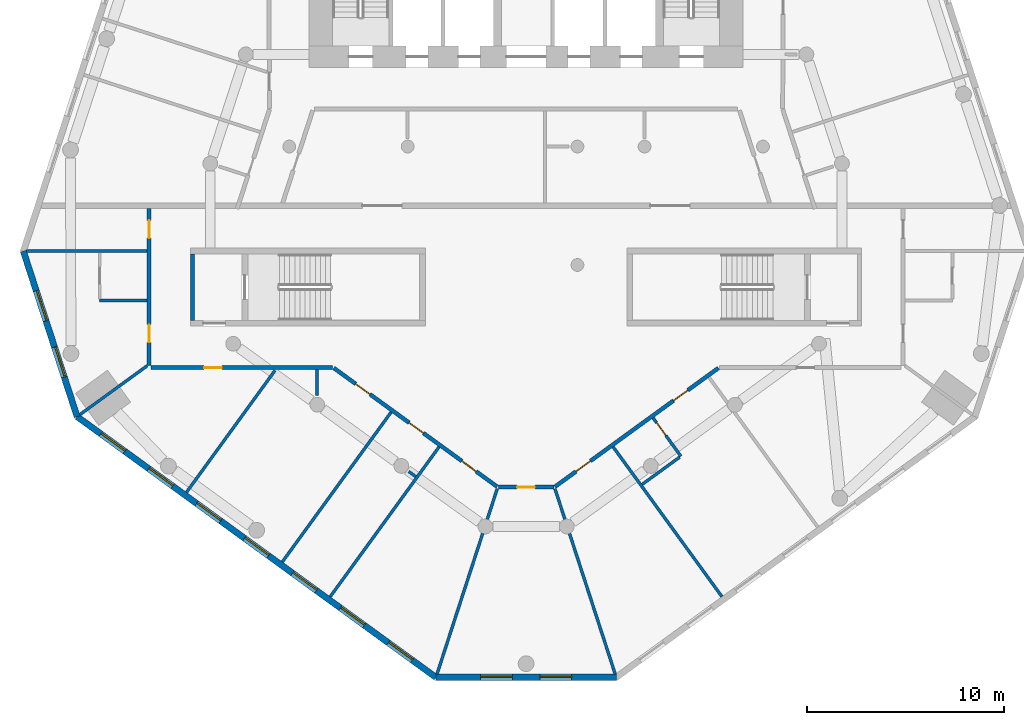
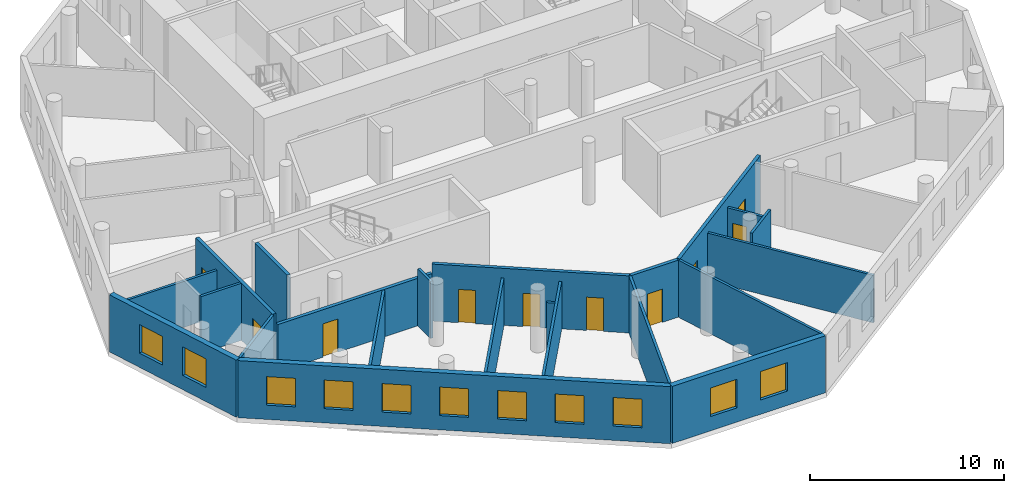
# One storey, part 2 of 9: 22 walls, 11 windows, 10 doors, 21 openings.
"""IFC4 building model written with IfcOpenShell, lengths in metres."""

from ifc_helpers import new_model, si_unit, direction, frame, frame_2d, origin, place, context, subcontext, project, spatial, rectangle, extrude, material, layer, layer_set, type_object, element, fill, save


model = new_model("IFC4")

# Units and contexts
model_context = context("Model", 3, precision=1e-05, world=origin(), true_north=direction((0.0, 1.0)))
body_context = subcontext(model_context, "Body", "Model", "MODEL_VIEW")
ifc_project = project(units=[si_unit("LENGTHUNIT", "METRE"), si_unit("AREAUNIT", "SQUARE_METRE"), si_unit("VOLUMEUNIT", "CUBIC_METRE"), si_unit("PLANEANGLEUNIT", "RADIAN"), si_unit("MASSUNIT", "GRAM", prefix="KILO")], contexts=[model_context])

# Site, building, storey
site_placement = place(None, origin())
site = spatial("IfcSite", under=ifc_project, at=site_placement, CompositionType="ELEMENT")
building_placement = place(site_placement, origin())
building = spatial("IfcBuilding", under=site, at=building_placement, Name="White Candle Pilgrim Tower", CompositionType="ELEMENT")
storey_placement = place(building_placement, frame((0.0, 0.0, 133.699951171875)))
storey = spatial("IfcBuildingStorey", under=building, at=storey_placement, Name="L30", CompositionType="ELEMENT", Elevation=133.699951171875)

# Wall
ifc_material_1 = material(Name="Concrete C60/75", Category="concrete")
ifc_layer_1 = layer(ifc_material_1, 0.199951171875)
ifc_layer_set_1 = layer_set([ifc_layer_1], Name="Core wall 200 mm Concrete C60/75")
wall_type_1 = type_object("IfcWallType", Name="Core wall 200 mm Concrete C60/75", PredefinedType="SHEAR", material=ifc_layer_set_1)
wall_1_placement = place(storey_placement, frame((53.10009765625, 58.199951171875, 0.0), z_axis=(0.0, 0.0, 1.0), x_axis=(0.0, 1.0, 0.0)))
element("IfcWall", 1, at=wall_1_placement, inside=storey, type_object=wall_type_1, Name="WL-L30-C03", PredefinedType="SHEAR", context=body_context, shape_type="SweptSolid", body=[
    extrude(rectangle(XDim=3.35009765625, YDim=0.199951171875, at=frame_2d((1.675048828125, 0.0))), origin(), (0.0, 0.0, 1.0), 3.900146484375),
])

# Wall, openings, doors
ifc_material_2 = material(Name="Gypsum board on steel studs", Category="steel")
ifc_layer_2 = layer(ifc_material_2, 0.199951171875)
ifc_layer_set_2 = layer_set([ifc_layer_2], Name="Corridor wall 200 mm EI 45")
wall_type_2 = type_object("IfcWallType", Name="Corridor wall 200 mm EI 45", PredefinedType="PARTITIONING", material=ifc_layer_set_2)
wall_2_placement = place(storey_placement, frame((79.7412109375, 55.781005859375, 0.0), z_axis=(0.0, 0.0, 1.0), x_axis=(-0.809014540142, -0.587788630239, 0.0)))
wall_2 = element("IfcWall", 2, at=wall_2_placement, inside=storey, type_object=wall_type_2, Name="WL-L30-P008", PredefinedType="PARTITIONING", context=body_context, shape_type="SweptSolid", body=[
    extrude(rectangle(XDim=10.2333984375, YDim=0.199951171875, at=frame_2d((5.11669921875, 0.0))), origin(), (0.0, 0.0, 1.0), 3.60009765625),
])
opening_1_placement = place(wall_2_placement, frame((8.014404296875, 0.0, 0.0)))
opening_1 = element("IfcOpeningElement", 3, at=opening_1_placement, cuts=wall_2, Name="Opening T09-108", PredefinedType="OPENING", context=body_context, shape_type="SweptSolid", body=[
    extrude(rectangle(XDim=0.89990234375, YDim=2.10009765625, at=frame_2d((0.449951171875, 1.050048828125))), frame((0.0, 0.10986328125, 0.0), z_axis=(0.0, -1.0, 0.0), x_axis=(1.0, 0.0, 0.0)), (0.0, 0.0, 1.0), 0.219970703125),
])
opening_2_placement = place(wall_2_placement, frame((1.91259765625, 0.0, 0.0)))
opening_2 = element("IfcOpeningElement", 4, at=opening_2_placement, cuts=wall_2, Name="Opening T09-110", PredefinedType="OPENING", context=body_context, shape_type="SweptSolid", body=[
    extrude(rectangle(XDim=0.89990234375, YDim=2.10009765625, at=frame_2d((0.449951171875, 1.050048828125))), frame((0.0, 0.10986328125, 0.0), z_axis=(0.0, -1.0, 0.0), x_axis=(1.0, 0.0, 0.0)), (0.0, 0.0, 1.0), 0.219970703125),
])
ifc_material_3 = material(Name="Steel door leaf", Category="steel")
door_type_1 = type_object("IfcDoorType", Name="Fire door 900 x 2100 EI 30", OperationType="NOTDEFINED", PredefinedType="DOOR", material=ifc_material_3)
door_1_placement = place(opening_1_placement, origin())
door_1 = element("IfcDoor", 5, at=door_1_placement, inside=storey, type_object=door_type_1, Name="Door T09-108", OperationType="SINGLE_SWING_RIGHT", OverallHeight=2.10009765625, OverallWidth=0.89990234375, PredefinedType="DOOR", context=body_context, shape_type="SweptSolid", body=[
    extrude(rectangle(XDim=0.89990234375, YDim=2.10009765625, at=frame_2d((0.449951171875, 1.050048828125))), frame((0.0, 0.02490234375, 0.0), z_axis=(0.0, -1.0, 0.0), x_axis=(1.0, 0.0, 0.0)), (0.0, 0.0, 1.0), 0.050048828125),
])
fill(opening_1, door_1)
door_2_placement = place(opening_2_placement, origin())
door_2 = element("IfcDoor", 6, at=door_2_placement, inside=storey, type_object=door_type_1, Name="Door T09-110", OperationType="SINGLE_SWING_RIGHT", OverallHeight=2.10009765625, OverallWidth=0.89990234375, PredefinedType="DOOR", context=body_context, shape_type="SweptSolid", body=[
    extrude(rectangle(XDim=0.89990234375, YDim=2.10009765625, at=frame_2d((0.449951171875, 1.050048828125))), frame((0.0, 0.02490234375, 0.0), z_axis=(0.0, -1.0, 0.0), x_axis=(1.0, 0.0, 0.0)), (0.0, 0.0, 1.0), 0.050048828125),
])
fill(opening_2, door_2)

# Wall, opening, door
wall_3_placement = place(storey_placement, frame((71.4033203125, 49.74658203125, 0.0), z_axis=(0.0, 0.0, 1.0), x_axis=(-1.0, 0.0, 0.0)))
wall_3 = element("IfcWall", 7, at=wall_3_placement, inside=storey, type_object=wall_type_2, Name="WL-L30-P009", PredefinedType="PARTITIONING", context=body_context, shape_type="SweptSolid", body=[
    extrude(rectangle(XDim=2.806640625, YDim=0.199951171875, at=frame_2d((1.4033203125, 0.0))), origin(), (0.0, 0.0, 1.0), 3.60009765625),
])
opening_3_placement = place(wall_3_placement, frame((0.953369140625, 0.0, 0.0)))
opening_3 = element("IfcOpeningElement", 8, at=opening_3_placement, cuts=wall_3, Name="Opening T09-107", PredefinedType="OPENING", context=body_context, shape_type="SweptSolid", body=[
    extrude(rectangle(XDim=0.89990234375, YDim=2.10009765625, at=frame_2d((0.449951171875, 1.050048828125))), frame((0.0, 0.10986328125, 0.0), z_axis=(0.0, -1.0, 0.0), x_axis=(1.0, 0.0, 0.0)), (0.0, 0.0, 1.0), 0.219970703125),
])
door_3_placement = place(opening_3_placement, origin())
door_3 = element("IfcDoor", 9, at=door_3_placement, inside=storey, type_object=door_type_1, Name="Door T09-107", OperationType="SINGLE_SWING_LEFT", OverallHeight=2.10009765625, OverallWidth=0.89990234375, PredefinedType="DOOR", context=body_context, shape_type="SweptSolid", body=[
    extrude(rectangle(XDim=0.89990234375, YDim=2.10009765625, at=frame_2d((0.449951171875, 1.050048828125))), frame((0.0, 0.02490234375, 0.0), z_axis=(0.0, -1.0, 0.0), x_axis=(1.0, 0.0, 0.0)), (0.0, 0.0, 1.0), 0.050048828125),
])
fill(opening_3, door_3)

# Wall, openings, doors
wall_4_placement = place(storey_placement, frame((68.537841796875, 49.765869140625, 0.0), z_axis=(0.0, 0.0, 1.0), x_axis=(-0.809014540142, 0.587788630239, 0.0)))
wall_4 = element("IfcWall", 10, at=wall_4_placement, inside=storey, type_object=wall_type_2, Name="WL-L30-P010", PredefinedType="PARTITIONING", context=body_context, shape_type="SweptSolid", body=[
    extrude(rectangle(XDim=10.2333984375, YDim=0.199951171875, at=frame_2d((5.11669921875, 0.0))), origin(), (0.0, 0.0, 1.0), 3.60009765625),
])
opening_4_placement = place(wall_4_placement, frame((7.968505859375, 0.0, 0.0)))
opening_4 = element("IfcOpeningElement", 11, at=opening_4_placement, cuts=wall_4, Name="Opening T09-104", PredefinedType="OPENING", context=body_context, shape_type="SweptSolid", body=[
    extrude(rectangle(XDim=0.89990234375, YDim=2.10009765625, at=frame_2d((0.449951171875, 1.050048828125))), frame((0.0, 0.10986328125, 0.0), z_axis=(0.0, -1.0, 0.0), x_axis=(1.0, 0.0, 0.0)), (0.0, 0.0, 1.0), 0.219970703125),
])
opening_5_placement = place(wall_4_placement, frame((4.620849609375, 0.0, 0.0)))
opening_5 = element("IfcOpeningElement", 12, at=opening_5_placement, cuts=wall_4, Name="Opening T09-105", PredefinedType="OPENING", context=body_context, shape_type="SweptSolid", body=[
    extrude(rectangle(XDim=0.89990234375, YDim=2.10009765625, at=frame_2d((0.449951171875, 1.050048828125))), frame((0.0, 0.10986328125, 0.0), z_axis=(0.0, -1.0, 0.0), x_axis=(1.0, 0.0, 0.0)), (0.0, 0.0, 1.0), 0.219970703125),
])
opening_6_placement = place(wall_4_placement, frame((1.319091796875, 0.0, 0.0)))
opening_6 = element("IfcOpeningElement", 13, at=opening_6_placement, cuts=wall_4, Name="Opening T09-106", PredefinedType="OPENING", context=body_context, shape_type="SweptSolid", body=[
    extrude(rectangle(XDim=0.89990234375, YDim=2.10009765625, at=frame_2d((0.449951171875, 1.050048828125))), frame((0.0, 0.10986328125, 0.0), z_axis=(0.0, -1.0, 0.0), x_axis=(1.0, 0.0, 0.0)), (0.0, 0.0, 1.0), 0.219970703125),
])
door_4_placement = place(opening_4_placement, origin())
door_4 = element("IfcDoor", 14, at=door_4_placement, inside=storey, type_object=door_type_1, Name="Door T09-104", OperationType="SINGLE_SWING_RIGHT", OverallHeight=2.10009765625, OverallWidth=0.89990234375, PredefinedType="DOOR", context=body_context, shape_type="SweptSolid", body=[
    extrude(rectangle(XDim=0.89990234375, YDim=2.10009765625, at=frame_2d((0.449951171875, 1.050048828125))), frame((0.0, 0.02490234375, 0.0), z_axis=(0.0, -1.0, 0.0), x_axis=(1.0, 0.0, 0.0)), (0.0, 0.0, 1.0), 0.050048828125),
])
fill(opening_4, door_4)
door_5_placement = place(opening_5_placement, origin())
door_5 = element("IfcDoor", 15, at=door_5_placement, inside=storey, type_object=door_type_1, Name="Door T09-105", OperationType="SINGLE_SWING_LEFT", OverallHeight=2.10009765625, OverallWidth=0.89990234375, PredefinedType="DOOR", context=body_context, shape_type="SweptSolid", body=[
    extrude(rectangle(XDim=0.89990234375, YDim=2.10009765625, at=frame_2d((0.449951171875, 1.050048828125))), frame((0.0, 0.02490234375, 0.0), z_axis=(0.0, -1.0, 0.0), x_axis=(1.0, 0.0, 0.0)), (0.0, 0.0, 1.0), 0.050048828125),
])
fill(opening_5, door_5)
door_6_placement = place(opening_6_placement, origin())
door_6 = element("IfcDoor", 16, at=door_6_placement, inside=storey, type_object=door_type_1, Name="Door T09-106", OperationType="SINGLE_SWING_RIGHT", OverallHeight=2.10009765625, OverallWidth=0.89990234375, PredefinedType="DOOR", context=body_context, shape_type="SweptSolid", body=[
    extrude(rectangle(XDim=0.89990234375, YDim=2.10009765625, at=frame_2d((0.449951171875, 1.050048828125))), frame((0.0, 0.02490234375, 0.0), z_axis=(0.0, -1.0, 0.0), x_axis=(1.0, 0.0, 0.0)), (0.0, 0.0, 1.0), 0.050048828125),
])
fill(opening_6, door_6)

# Wall, opening, door
wall_5_placement = place(storey_placement, frame((60.2001953125, 55.800048828125, 0.0), z_axis=(0.0, 0.0, 1.0), x_axis=(-1.0, 0.0, 0.0)))
wall_5 = element("IfcWall", 17, at=wall_5_placement, inside=storey, type_object=wall_type_2, Name="WL-L30-P011", PredefinedType="PARTITIONING", context=body_context, shape_type="SweptSolid", body=[
    extrude(rectangle(XDim=9.2001953125, YDim=0.199951171875, at=frame_2d((4.60009765625, 0.0))), origin(), (0.0, 0.0, 1.0), 3.0),
])
opening_7_placement = place(wall_5_placement, frame((5.6083984375, 0.0, 0.0)))
opening_7 = element("IfcOpeningElement", 18, at=opening_7_placement, cuts=wall_5, Name="Opening T09-103", PredefinedType="OPENING", context=body_context, shape_type="SweptSolid", body=[
    extrude(rectangle(XDim=0.89990234375, YDim=2.10009765625, at=frame_2d((0.449951171875, 1.050048828125))), frame((0.0, 0.10986328125, 0.0), z_axis=(0.0, -1.0, 0.0), x_axis=(1.0, 0.0, 0.0)), (0.0, 0.0, 1.0), 0.219970703125),
])
door_7_placement = place(opening_7_placement, origin())
door_7 = element("IfcDoor", 19, at=door_7_placement, inside=storey, type_object=door_type_1, Name="Door T09-103", OperationType="SINGLE_SWING_LEFT", OverallHeight=2.10009765625, OverallWidth=0.89990234375, PredefinedType="DOOR", context=body_context, shape_type="SweptSolid", body=[
    extrude(rectangle(XDim=0.89990234375, YDim=2.10009765625, at=frame_2d((0.449951171875, 1.050048828125))), frame((0.0, 0.02490234375, 0.0), z_axis=(0.0, -1.0, 0.0), x_axis=(1.0, 0.0, 0.0)), (0.0, 0.0, 1.0), 0.050048828125),
])
fill(opening_7, door_7)

# Wall, openings, doors
wall_6_placement = place(storey_placement, frame((50.89990234375, 55.89990234375, 0.0), z_axis=(0.0, 0.0, 1.0), x_axis=(0.0, 1.0, 0.0)))
wall_6 = element("IfcWall", 20, at=wall_6_placement, inside=storey, type_object=wall_type_2, Name="WL-L30-P012", PredefinedType="PARTITIONING", context=body_context, shape_type="SweptSolid", body=[
    extrude(rectangle(XDim=7.9501953125, YDim=0.199951171875, at=frame_2d((3.97509765625, 0.0))), origin(), (0.0, 0.0, 1.0), 3.60009765625),
])
opening_8_placement = place(wall_6_placement, frame((1.18212890625, 0.0, 0.0)))
opening_8 = element("IfcOpeningElement", 21, at=opening_8_placement, cuts=wall_6, Name="Opening T09-102", PredefinedType="OPENING", context=body_context, shape_type="SweptSolid", body=[
    extrude(rectangle(XDim=0.89990234375, YDim=2.10009765625, at=frame_2d((0.449951171875, 1.050048828125))), frame((0.0, 0.10986328125, 0.0), z_axis=(0.0, -1.0, 0.0), x_axis=(1.0, 0.0, 0.0)), (0.0, 0.0, 1.0), 0.219970703125),
])
opening_9_placement = place(wall_6_placement, frame((6.462158203125, 0.0, 0.0)))
opening_9 = element("IfcOpeningElement", 22, at=opening_9_placement, cuts=wall_6, Name="Opening T09-116", PredefinedType="OPENING", context=body_context, shape_type="SweptSolid", body=[
    extrude(rectangle(XDim=0.89990234375, YDim=2.10009765625, at=frame_2d((0.449951171875, 1.050048828125))), frame((0.0, 0.10986328125, 0.0), z_axis=(0.0, -1.0, 0.0), x_axis=(1.0, 0.0, 0.0)), (0.0, 0.0, 1.0), 0.219970703125),
])
door_8_placement = place(opening_8_placement, origin())
door_8 = element("IfcDoor", 23, at=door_8_placement, inside=storey, type_object=door_type_1, Name="Door T09-102", OperationType="SINGLE_SWING_RIGHT", OverallHeight=2.10009765625, OverallWidth=0.89990234375, PredefinedType="DOOR", context=body_context, shape_type="SweptSolid", body=[
    extrude(rectangle(XDim=0.89990234375, YDim=2.10009765625, at=frame_2d((0.449951171875, 1.050048828125))), frame((0.0, 0.02490234375, 0.0), z_axis=(0.0, -1.0, 0.0), x_axis=(1.0, 0.0, 0.0)), (0.0, 0.0, 1.0), 0.050048828125),
])
fill(opening_8, door_8)
door_9_placement = place(opening_9_placement, origin())
door_9 = element("IfcDoor", 24, at=door_9_placement, inside=storey, type_object=door_type_1, Name="Door T09-116", OperationType="SINGLE_SWING_RIGHT", OverallHeight=2.10009765625, OverallWidth=0.89990234375, PredefinedType="DOOR", context=body_context, shape_type="SweptSolid", body=[
    extrude(rectangle(XDim=0.89990234375, YDim=2.10009765625, at=frame_2d((0.449951171875, 1.050048828125))), frame((0.0, 0.02490234375, 0.0), z_axis=(0.0, -1.0, 0.0), x_axis=(1.0, 0.0, 0.0)), (0.0, 0.0, 1.0), 0.050048828125),
])
fill(opening_9, door_9)

# Wall, openings, windows
ifc_material_4 = material(Name="Precast concrete C40/50", Category="concrete")
ifc_layer_3 = layer(ifc_material_4, 0.320068359375)
ifc_layer_set_3 = layer_set([ifc_layer_3], Name="Facade wall EW1 precast concrete C40/50 pier wall with timber-lined reveals")
wall_type_3 = type_object("IfcWallType", Name="Facade wall EW1 precast concrete C40/50 pier wall with timber-lined reveals", PredefinedType="SOLIDWALL", material=ifc_layer_set_3)
wall_7_placement = place(storey_placement, frame((44.5283203125, 61.69921875, 0.0), z_axis=(0.0, 0.0, 1.0), x_axis=(0.309007169839, -0.951059708424, 0.0)))
wall_7 = element("IfcWall", 25, at=wall_7_placement, inside=storey, type_object=wall_type_3, Name="Facade wall L30 W chamfer", PredefinedType="SOLIDWALL", context=body_context, shape_type="SweptSolid", body=[
    extrude(rectangle(XDim=8.815673828125, YDim=0.320068359375, at=frame_2d((4.40771484375, 0.0))), origin(), (0.0, 0.0, 1.0), 3.60009765625),
])
opening_10_placement = place(wall_7_placement, frame((2.10791015625, 0.0, 0.89990234375)))
opening_10 = element("IfcOpeningElement", 26, at=opening_10_placement, cuts=wall_7, Name="Opening W2", PredefinedType="OPENING", context=body_context, shape_type="SweptSolid", body=[
    extrude(rectangle(XDim=1.60009765625, YDim=1.800048828125, at=frame_2d((0.800048828125, 0.89990234375))), frame((0.0, 0.169921875, 0.0), z_axis=(0.0, -1.0, 0.0), x_axis=(1.0, 0.0, 0.0)), (0.0, 0.0, 1.0), 0.340087890625),
])
opening_11_placement = place(wall_7_placement, frame((5.10791015625, 0.0, 0.89990234375)))
opening_11 = element("IfcOpeningElement", 27, at=opening_11_placement, cuts=wall_7, Name="Opening W2", PredefinedType="OPENING", context=body_context, shape_type="SweptSolid", body=[
    extrude(rectangle(XDim=1.60009765625, YDim=1.800048828125, at=frame_2d((0.800048828125, 0.89990234375))), frame((0.0, 0.169921875, 0.0), z_axis=(0.0, -1.0, 0.0), x_axis=(1.0, 0.0, 0.0)), (0.0, 0.0, 1.0), 0.340087890625),
])
ifc_material_5 = material(Name="Timber frame with triple glazing", Category="wood")
window_type_1 = type_object("IfcWindowType", Name="Window W2 1600x1800 timber frame triple glazing", PartitioningType="SINGLE_PANEL", PredefinedType="WINDOW", material=ifc_material_5)
window_1_placement = place(opening_10_placement, origin())
window_1 = element("IfcWindow", 28, at=window_1_placement, inside=storey, type_object=window_type_1, Name="Window W2 L30 W chamfer 1", OverallHeight=1.800048828125, OverallWidth=1.60009765625, PartitioningType="SINGLE_PANEL", PredefinedType="WINDOW", context=body_context, shape_type="SweptSolid", body=[
    extrude(rectangle(XDim=1.60009765625, YDim=1.800048828125, at=frame_2d((0.800048828125, 0.89990234375))), frame((0.0, 0.070068359375, 0.0), z_axis=(0.0, -1.0, 0.0), x_axis=(1.0, 0.0, 0.0)), (0.0, 0.0, 1.0), 0.06005859375),
])
fill(opening_10, window_1)
window_2_placement = place(opening_11_placement, origin())
window_2 = element("IfcWindow", 29, at=window_2_placement, inside=storey, type_object=window_type_1, Name="Window W2 L30 W chamfer 2", OverallHeight=1.800048828125, OverallWidth=1.60009765625, PartitioningType="SINGLE_PANEL", PredefinedType="WINDOW", context=body_context, shape_type="SweptSolid", body=[
    extrude(rectangle(XDim=1.60009765625, YDim=1.800048828125, at=frame_2d((0.800048828125, 0.89990234375))), frame((0.0, 0.070068359375, 0.0), z_axis=(0.0, -1.0, 0.0), x_axis=(1.0, 0.0, 0.0)), (0.0, 0.0, 1.0), 0.06005859375),
])
fill(opening_11, window_2)

wall_8_placement = place(storey_placement, frame((47.25244140625, 53.31494140625, 0.0), z_axis=(0.0, 0.0, 1.0), x_axis=(0.809018352132, -0.587783383496, 0.0)))
wall_8 = element("IfcWall", 30, at=wall_8_placement, inside=storey, type_object=wall_type_3, Name="Facade wall L30 SW", PredefinedType="SOLIDWALL", context=body_context, shape_type="SweptSolid", body=[
    extrude(rectangle(XDim=22.47119140625, YDim=0.320068359375, at=frame_2d((11.235595703125, 0.0))), origin(), (0.0, 0.0, 1.0), 3.60009765625),
])
opening_12_placement = place(wall_8_placement, frame((1.485595703125, 0.0, 0.89990234375)))
opening_12 = element("IfcOpeningElement", 31, at=opening_12_placement, cuts=wall_8, Name="Opening W1", PredefinedType="OPENING", context=body_context, shape_type="SweptSolid", body=[
    extrude(rectangle(XDim=1.5, YDim=1.800048828125, at=frame_2d((0.75, 0.89990234375))), frame((0.0, 0.169921875, 0.0), z_axis=(0.0, -1.0, 0.0), x_axis=(1.0, 0.0, 0.0)), (0.0, 0.0, 1.0), 0.340087890625),
])
opening_13_placement = place(wall_8_placement, frame((4.485595703125, 0.0, 0.89990234375)))
opening_13 = element("IfcOpeningElement", 32, at=opening_13_placement, cuts=wall_8, Name="Opening W1", PredefinedType="OPENING", context=body_context, shape_type="SweptSolid", body=[
    extrude(rectangle(XDim=1.5, YDim=1.800048828125, at=frame_2d((0.75, 0.89990234375))), frame((0.0, 0.169921875, 0.0), z_axis=(0.0, -1.0, 0.0), x_axis=(1.0, 0.0, 0.0)), (0.0, 0.0, 1.0), 0.340087890625),
])
opening_14_placement = place(wall_8_placement, frame((7.485595703125, 0.0, 0.89990234375)))
opening_14 = element("IfcOpeningElement", 33, at=opening_14_placement, cuts=wall_8, Name="Opening W1", PredefinedType="OPENING", context=body_context, shape_type="SweptSolid", body=[
    extrude(rectangle(XDim=1.5, YDim=1.800048828125, at=frame_2d((0.75, 0.89990234375))), frame((0.0, 0.169921875, 0.0), z_axis=(0.0, -1.0, 0.0), x_axis=(1.0, 0.0, 0.0)), (0.0, 0.0, 1.0), 0.340087890625),
])
opening_15_placement = place(wall_8_placement, frame((10.485595703125, 0.0, 0.89990234375)))
opening_15 = element("IfcOpeningElement", 34, at=opening_15_placement, cuts=wall_8, Name="Opening W1", PredefinedType="OPENING", context=body_context, shape_type="SweptSolid", body=[
    extrude(rectangle(XDim=1.5, YDim=1.800048828125, at=frame_2d((0.75, 0.89990234375))), frame((0.0, 0.169921875, 0.0), z_axis=(0.0, -1.0, 0.0), x_axis=(1.0, 0.0, 0.0)), (0.0, 0.0, 1.0), 0.340087890625),
])
opening_16_placement = place(wall_8_placement, frame((13.485595703125, 0.0, 0.89990234375)))
opening_16 = element("IfcOpeningElement", 35, at=opening_16_placement, cuts=wall_8, Name="Opening W1", PredefinedType="OPENING", context=body_context, shape_type="SweptSolid", body=[
    extrude(rectangle(XDim=1.5, YDim=1.800048828125, at=frame_2d((0.75, 0.89990234375))), frame((0.0, 0.169921875, 0.0), z_axis=(0.0, -1.0, 0.0), x_axis=(1.0, 0.0, 0.0)), (0.0, 0.0, 1.0), 0.340087890625),
])
opening_17_placement = place(wall_8_placement, frame((16.485595703125, 0.0, 0.89990234375)))
opening_17 = element("IfcOpeningElement", 36, at=opening_17_placement, cuts=wall_8, Name="Opening W1", PredefinedType="OPENING", context=body_context, shape_type="SweptSolid", body=[
    extrude(rectangle(XDim=1.5, YDim=1.800048828125, at=frame_2d((0.75, 0.89990234375))), frame((0.0, 0.169921875, 0.0), z_axis=(0.0, -1.0, 0.0), x_axis=(1.0, 0.0, 0.0)), (0.0, 0.0, 1.0), 0.340087890625),
])
opening_18_placement = place(wall_8_placement, frame((19.485595703125, 0.0, 0.89990234375)))
opening_18 = element("IfcOpeningElement", 37, at=opening_18_placement, cuts=wall_8, Name="Opening W1", PredefinedType="OPENING", context=body_context, shape_type="SweptSolid", body=[
    extrude(rectangle(XDim=1.5, YDim=1.800048828125, at=frame_2d((0.75, 0.89990234375))), frame((0.0, 0.169921875, 0.0), z_axis=(0.0, -1.0, 0.0), x_axis=(1.0, 0.0, 0.0)), (0.0, 0.0, 1.0), 0.340087890625),
])
window_type_2 = type_object("IfcWindowType", Name="Window W1 1500x1800 timber frame triple glazing", PartitioningType="SINGLE_PANEL", PredefinedType="WINDOW", material=ifc_material_5)
window_3_placement = place(opening_12_placement, origin())
window_3 = element("IfcWindow", 38, at=window_3_placement, inside=storey, type_object=window_type_2, Name="Window W1 L30 SW 1", OverallHeight=1.800048828125, OverallWidth=1.5, PartitioningType="SINGLE_PANEL", PredefinedType="WINDOW", context=body_context, shape_type="SweptSolid", body=[
    extrude(rectangle(XDim=1.5, YDim=1.800048828125, at=frame_2d((0.75, 0.89990234375))), frame((0.0, 0.070068359375, 0.0), z_axis=(0.0, -1.0, 0.0), x_axis=(1.0, 0.0, 0.0)), (0.0, 0.0, 1.0), 0.06005859375),
])
fill(opening_12, window_3)
window_4_placement = place(opening_13_placement, origin())
window_4 = element("IfcWindow", 39, at=window_4_placement, inside=storey, type_object=window_type_2, Name="Window W1 L30 SW 2", OverallHeight=1.800048828125, OverallWidth=1.5, PartitioningType="SINGLE_PANEL", PredefinedType="WINDOW", context=body_context, shape_type="SweptSolid", body=[
    extrude(rectangle(XDim=1.5, YDim=1.800048828125, at=frame_2d((0.75, 0.89990234375))), frame((0.0, 0.070068359375, 0.0), z_axis=(0.0, -1.0, 0.0), x_axis=(1.0, 0.0, 0.0)), (0.0, 0.0, 1.0), 0.06005859375),
])
fill(opening_13, window_4)
window_5_placement = place(opening_14_placement, origin())
window_5 = element("IfcWindow", 40, at=window_5_placement, inside=storey, type_object=window_type_2, Name="Window W1 L30 SW 3", OverallHeight=1.800048828125, OverallWidth=1.5, PartitioningType="SINGLE_PANEL", PredefinedType="WINDOW", context=body_context, shape_type="SweptSolid", body=[
    extrude(rectangle(XDim=1.5, YDim=1.800048828125, at=frame_2d((0.75, 0.89990234375))), frame((0.0, 0.070068359375, 0.0), z_axis=(0.0, -1.0, 0.0), x_axis=(1.0, 0.0, 0.0)), (0.0, 0.0, 1.0), 0.06005859375),
])
fill(opening_14, window_5)
window_6_placement = place(opening_15_placement, origin())
window_6 = element("IfcWindow", 41, at=window_6_placement, inside=storey, type_object=window_type_2, Name="Window W1 L30 SW 4", OverallHeight=1.800048828125, OverallWidth=1.5, PartitioningType="SINGLE_PANEL", PredefinedType="WINDOW", context=body_context, shape_type="SweptSolid", body=[
    extrude(rectangle(XDim=1.5, YDim=1.800048828125, at=frame_2d((0.75, 0.89990234375))), frame((0.0, 0.070068359375, 0.0), z_axis=(0.0, -1.0, 0.0), x_axis=(1.0, 0.0, 0.0)), (0.0, 0.0, 1.0), 0.06005859375),
])
fill(opening_15, window_6)
window_7_placement = place(opening_16_placement, origin())
window_7 = element("IfcWindow", 42, at=window_7_placement, inside=storey, type_object=window_type_2, Name="Window W1 L30 SW 5", OverallHeight=1.800048828125, OverallWidth=1.5, PartitioningType="SINGLE_PANEL", PredefinedType="WINDOW", context=body_context, shape_type="SweptSolid", body=[
    extrude(rectangle(XDim=1.5, YDim=1.800048828125, at=frame_2d((0.75, 0.89990234375))), frame((0.0, 0.070068359375, 0.0), z_axis=(0.0, -1.0, 0.0), x_axis=(1.0, 0.0, 0.0)), (0.0, 0.0, 1.0), 0.06005859375),
])
fill(opening_16, window_7)
window_8_placement = place(opening_17_placement, origin())
window_8 = element("IfcWindow", 43, at=window_8_placement, inside=storey, type_object=window_type_2, Name="Window W1 L30 SW 6", OverallHeight=1.800048828125, OverallWidth=1.5, PartitioningType="SINGLE_PANEL", PredefinedType="WINDOW", context=body_context, shape_type="SweptSolid", body=[
    extrude(rectangle(XDim=1.5, YDim=1.800048828125, at=frame_2d((0.75, 0.89990234375))), frame((0.0, 0.070068359375, 0.0), z_axis=(0.0, -1.0, 0.0), x_axis=(1.0, 0.0, 0.0)), (0.0, 0.0, 1.0), 0.06005859375),
])
fill(opening_17, window_8)
window_9_placement = place(opening_18_placement, origin())
window_9 = element("IfcWindow", 44, at=window_9_placement, inside=storey, type_object=window_type_2, Name="Window W1 L30 SW 7", OverallHeight=1.800048828125, OverallWidth=1.5, PartitioningType="SINGLE_PANEL", PredefinedType="WINDOW", context=body_context, shape_type="SweptSolid", body=[
    extrude(rectangle(XDim=1.5, YDim=1.800048828125, at=frame_2d((0.75, 0.89990234375))), frame((0.0, 0.070068359375, 0.0), z_axis=(0.0, -1.0, 0.0), x_axis=(1.0, 0.0, 0.0)), (0.0, 0.0, 1.0), 0.06005859375),
])
fill(opening_18, window_9)

wall_9_placement = place(storey_placement, frame((65.43212890625, 40.106689453125, 0.0), z_axis=(0.0, 0.0, 1.0), x_axis=(1.0, 0.0, 0.0)))
wall_9 = element("IfcWall", 45, at=wall_9_placement, inside=storey, type_object=wall_type_3, Name="Facade wall L30 S chamfer", PredefinedType="SOLIDWALL", context=body_context, shape_type="SweptSolid", body=[
    extrude(rectangle(XDim=9.1357421875, YDim=0.320068359375, at=frame_2d((4.56787109375, 0.0))), origin(), (0.0, 0.0, 1.0), 3.60009765625),
])
opening_19_placement = place(wall_9_placement, frame((2.26806640625, 0.0, 0.89990234375)))
opening_19 = element("IfcOpeningElement", 46, at=opening_19_placement, cuts=wall_9, Name="Opening W2", PredefinedType="OPENING", context=body_context, shape_type="SweptSolid", body=[
    extrude(rectangle(XDim=1.60009765625, YDim=1.800048828125, at=frame_2d((0.800048828125, 0.89990234375))), frame((0.0, 0.169921875, 0.0), z_axis=(0.0, -1.0, 0.0), x_axis=(1.0, 0.0, 0.0)), (0.0, 0.0, 1.0), 0.340087890625),
])
opening_20_placement = place(wall_9_placement, frame((5.26806640625, 0.0, 0.89990234375)))
opening_20 = element("IfcOpeningElement", 47, at=opening_20_placement, cuts=wall_9, Name="Opening W2", PredefinedType="OPENING", context=body_context, shape_type="SweptSolid", body=[
    extrude(rectangle(XDim=1.60009765625, YDim=1.800048828125, at=frame_2d((0.800048828125, 0.89990234375))), frame((0.0, 0.169921875, 0.0), z_axis=(0.0, -1.0, 0.0), x_axis=(1.0, 0.0, 0.0)), (0.0, 0.0, 1.0), 0.340087890625),
])
window_10_placement = place(opening_19_placement, origin())
window_10 = element("IfcWindow", 48, at=window_10_placement, inside=storey, type_object=window_type_1, Name="Window W2 L30 S chamfer 1", OverallHeight=1.800048828125, OverallWidth=1.60009765625, PartitioningType="SINGLE_PANEL", PredefinedType="WINDOW", context=body_context, shape_type="SweptSolid", body=[
    extrude(rectangle(XDim=1.60009765625, YDim=1.800048828125, at=frame_2d((0.800048828125, 0.89990234375))), frame((0.0, 0.070068359375, 0.0), z_axis=(0.0, -1.0, 0.0), x_axis=(1.0, 0.0, 0.0)), (0.0, 0.0, 1.0), 0.06005859375),
])
fill(opening_19, window_10)
window_11_placement = place(opening_20_placement, origin())
window_11 = element("IfcWindow", 49, at=window_11_placement, inside=storey, type_object=window_type_1, Name="Window W2 L30 S chamfer 2", OverallHeight=1.800048828125, OverallWidth=1.60009765625, PartitioningType="SINGLE_PANEL", PredefinedType="WINDOW", context=body_context, shape_type="SweptSolid", body=[
    extrude(rectangle(XDim=1.60009765625, YDim=1.800048828125, at=frame_2d((0.800048828125, 0.89990234375))), frame((0.0, 0.070068359375, 0.0), z_axis=(0.0, -1.0, 0.0), x_axis=(1.0, 0.0, 0.0)), (0.0, 0.0, 1.0), 0.06005859375),
])
fill(opening_20, window_11)

# Walls
ifc_layer_4 = layer(ifc_material_2, 0.14990234375)
ifc_layer_set_4 = layer_set([ifc_layer_4], Name="Partition 150 mm EI 60")
wall_type_4 = type_object("IfcWallType", Name="Partition 150 mm EI 60", PredefinedType="PARTITIONING", material=ifc_layer_set_4)
wall_10_placement = place(storey_placement, frame((44.6962890625, 61.69921875, 0.0), z_axis=(0.0, 0.0, 1.0), x_axis=(1.0, 0.0, 0.0)))
element("IfcWall", 50, at=wall_10_placement, inside=storey, type_object=wall_type_4, Name="WL-L30-P017", PredefinedType="PARTITIONING", context=body_context, shape_type="SweptSolid", body=[
    extrude(rectangle(XDim=6.103759765625, YDim=0.14990234375, at=frame_2d((3.0517578125, 0.0))), origin(), (0.0, 0.0, 1.0), 2.900146484375),
])
wall_11_placement = place(storey_placement, frame((47.388427734375, 53.413818359375, 0.0), z_axis=(0.0, 0.0, 1.0), x_axis=(0.809033589119, 0.587762410909, 0.0)))
element("IfcWall", 51, at=wall_11_placement, inside=storey, type_object=wall_type_4, Name="WL-L30-P018", PredefinedType="PARTITIONING", context=body_context, shape_type="SweptSolid", body=[
    extrude(rectangle(XDim=4.221435546875, YDim=0.14990234375, at=frame_2d((2.11083984375, 0.0))), origin(), (0.0, 0.0, 1.0), 3.60009765625),
])
for number, where, z_axis, x_axis, name in (
    (52, (65.48388671875, 40.2666015625, 0.0), (0.0, 0.0, 1.0), (0.309015131176, 0.951057121683, 0.0), "WL-L30-P019"),
    (53, (74.51611328125, 40.2666015625, 0.0), (0.0, 0.0, 1.0), (-0.309015131176, 0.951057121683, 0.0), "WL-L30-P020"),
):
    element("IfcWall", number, at=place(storey_placement, frame(where, z_axis=z_axis, x_axis=x_axis)), inside=storey, type_object=wall_type_4, Name=name, PredefinedType="PARTITIONING", context=body_context, shape_type="SweptSolid", body=[
        extrude(rectangle(XDim=9.8828125, YDim=0.14990234375, at=frame_2d((4.94140625, 0.0))), origin(), (0.0, 0.0, 1.0), 3.60009765625),
    ])
wall_12_placement = place(storey_placement, frame((50.800048828125, 59.19921875, 0.0), z_axis=(0.0, 0.0, 1.0), x_axis=(-1.0, 0.0, 0.0)))
element("IfcWall", 54, at=wall_12_placement, inside=storey, type_object=wall_type_4, Name="WL-L30-P026", PredefinedType="PARTITIONING", context=body_context, shape_type="SweptSolid", body=[
    extrude(rectangle(XDim=2.400146484375, YDim=0.14990234375, at=frame_2d((1.2001953125, 0.0))), origin(), (0.0, 0.0, 1.0), 3.60009765625),
])
wall_13_placement = place(storey_placement, frame((52.795654296875, 49.4853515625, 0.0), z_axis=(0.0, 0.0, 1.0), x_axis=(0.587777660072, 0.809022510392, 0.0)))
element("IfcWall", 55, at=wall_13_placement, inside=storey, type_object=wall_type_4, Name="WL-L30-P028", PredefinedType="PARTITIONING", context=body_context, shape_type="SweptSolid", body=[
    extrude(rectangle(XDim=7.627197265625, YDim=0.14990234375, at=frame_2d((3.8134765625, 0.0))), origin(), (0.0, 0.0, 1.0), 3.0),
])
for number, where, z_axis, x_axis, name in (
    (56, (57.64990234375, 45.95849609375, 0.0), (0.0, 0.0, 1.0), (0.58776614844, 0.809030873792, 0.0), "WL-L30-P029"),
    (57, (60.076904296875, 44.1953125, 0.0), (0.0, 0.0, 1.0), (0.587795561305, 0.809009504339, 0.0), "WL-L30-P030"),
    (58, (79.923095703125, 44.1953125, 0.0), (0.0, 0.0, 1.0), (-0.587795561305, 0.809009504339, 0.0), "WL-L30-P031"),
):
    element("IfcWall", number, at=place(storey_placement, frame(where, z_axis=z_axis, x_axis=x_axis)), inside=storey, type_object=wall_type_4, Name=name, PredefinedType="PARTITIONING", context=body_context, shape_type="SweptSolid", body=[
        extrude(rectangle(XDim=9.3798828125, YDim=0.14990234375, at=frame_2d((4.68994140625, 0.0))), origin(), (0.0, 0.0, 1.0), 3.0),
    ])

# Wall, opening, door
wall_14_placement = place(storey_placement, frame((76.432373046875, 53.25341796875, 0.0), z_axis=(0.0, 0.0, 1.0), x_axis=(0.587724050354, -0.809061456649, 0.0)))
wall_14 = element("IfcWall", 59, at=wall_14_placement, inside=storey, type_object=wall_type_4, Name="WL-L30-P033", PredefinedType="PARTITIONING", context=body_context, shape_type="SweptSolid", body=[
    extrude(rectangle(XDim=2.400146484375, YDim=0.14990234375, at=frame_2d((1.2001953125, 0.0))), origin(), (0.0, 0.0, 1.0), 3.0),
])
opening_21_placement = place(wall_14_placement, frame((0.300048828125, 0.0, 0.0)))
opening_21 = element("IfcOpeningElement", 60, at=opening_21_placement, cuts=wall_14, Name="Opening T09-109", PredefinedType="OPENING", context=body_context, shape_type="SweptSolid", body=[
    extrude(rectangle(XDim=0.800048828125, YDim=2.10009765625, at=frame_2d((0.39990234375, 1.050048828125))), frame((0.0, 0.0849609375, 0.0), z_axis=(0.0, -1.0, 0.0), x_axis=(1.0, 0.0, 0.0)), (0.0, 0.0, 1.0), 0.169921875),
])
door_type_2 = type_object("IfcDoorType", Name="Fire door 800 x 2100 EI 30", OperationType="NOTDEFINED", PredefinedType="DOOR", material=ifc_material_3)
door_10_placement = place(opening_21_placement, origin())
door_10 = element("IfcDoor", 61, at=door_10_placement, inside=storey, type_object=door_type_2, Name="Door T09-109", OperationType="SINGLE_SWING_LEFT", OverallHeight=2.10009765625, OverallWidth=0.800048828125, PredefinedType="DOOR", context=body_context, shape_type="SweptSolid", body=[
    extrude(rectangle(XDim=0.800048828125, YDim=2.10009765625, at=frame_2d((0.39990234375, 1.050048828125))), frame((0.0, 0.02490234375, 0.0), z_axis=(0.0, -1.0, 0.0), x_axis=(1.0, 0.0, 0.0)), (0.0, 0.0, 1.0), 0.050048828125),
])
fill(opening_21, door_10)

# Walls
wall_15_placement = place(storey_placement, frame((75.881103515625, 49.88623046875, 0.0), z_axis=(0.0, 0.0, 1.0), x_axis=(0.808996573949, 0.587813357571, 0.0)))
element("IfcWall", 62, at=wall_15_placement, inside=storey, type_object=wall_type_4, Name="WL-L30-P034", PredefinedType="PARTITIONING", context=body_context, shape_type="SweptSolid", body=[
    extrude(rectangle(XDim=2.35009765625, YDim=0.14990234375, at=frame_2d((1.175048828125, 0.0))), origin(), (0.0, 0.0, 1.0), 3.60009765625),
])
wall_16_placement = place(storey_placement, frame((59.417724609375, 54.385009765625, 0.0), z_axis=(0.0, 0.0, 1.0), x_axis=(0.0, 1.0, 0.0)))
element("IfcWall", 63, at=wall_16_placement, inside=storey, type_object=wall_type_4, Name="WL-L30-P040", PredefinedType="PARTITIONING", context=body_context, shape_type="SweptSolid", body=[
    extrude(rectangle(XDim=1.31494140625, YDim=0.14990234375, at=frame_2d((0.657470703125, 0.0))), origin(), (0.0, 0.0, 1.0), 3.60009765625),
])
wall_17_placement = place(storey_placement, frame((64.050537109375, 50.539306640625, 0.0), z_axis=(0.0, 0.0, 1.0), x_axis=(0.808784156447, -0.588105592798, 0.0)))
element("IfcWall", 64, at=wall_17_placement, inside=storey, type_object=wall_type_4, Name="WL-L30-P041", PredefinedType="PARTITIONING", context=body_context, shape_type="SweptSolid", body=[
    extrude(rectangle(XDim=0.439208984375, YDim=0.14990234375, at=frame_2d((0.2197265625, 0.0))), origin(), (0.0, 0.0, 1.0), 3.0),
])

save(model, "model.ifc")
